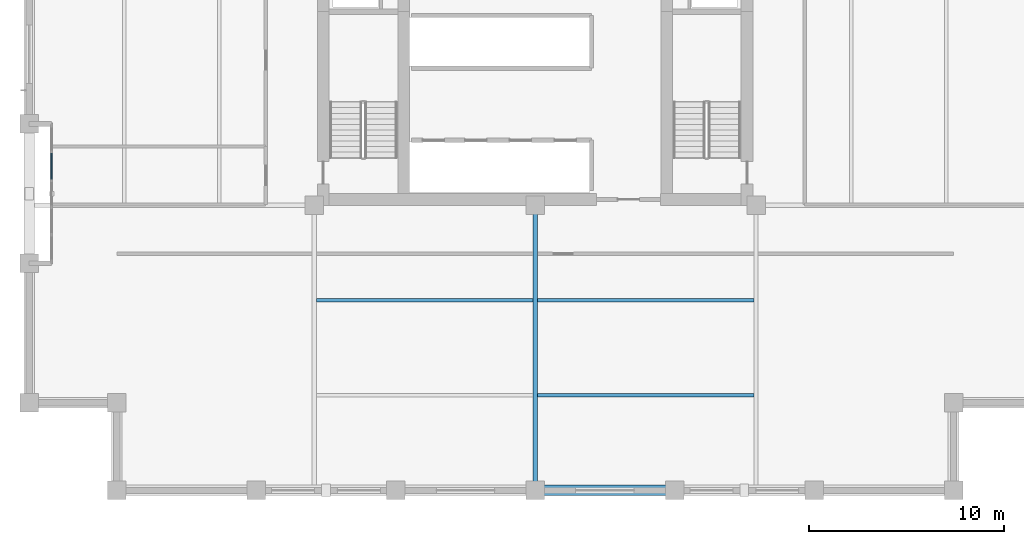
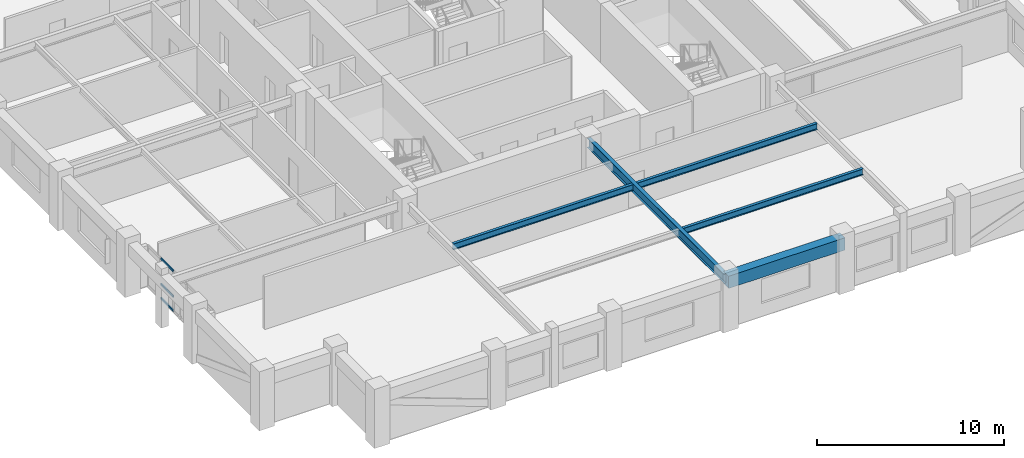
# One storey, part 3 of 14: 5 beams, 3 members, 1 element without a shape of its own.
"""IFC4 building model written with IfcOpenShell, lengths in metres."""

from ifc_helpers import new_model, si_unit, direction, frame, origin, origin_2d, place, context, subcontext, project, spatial, rectangle, i_section, extrude, material, layer, layer_set, material_profile, profile_set, type_object, element, aggregate, save


model = new_model("IFC4")

# Units and contexts
model_context = context("Model", 3, precision=1e-05, world=origin(), true_north=direction((0.0, 1.0)))
body_context = subcontext(model_context, "Body", "Model", "MODEL_VIEW")
ifc_project = project(units=[si_unit("LENGTHUNIT", "METRE"), si_unit("AREAUNIT", "SQUARE_METRE"), si_unit("VOLUMEUNIT", "CUBIC_METRE"), si_unit("PLANEANGLEUNIT", "RADIAN"), si_unit("MASSUNIT", "GRAM", prefix="KILO")], contexts=[model_context])

# Site, building, storey
site_placement = place(None, origin())
site = spatial("IfcSite", under=ifc_project, at=site_placement, CompositionType="ELEMENT")
building_placement = place(site_placement, origin())
building = spatial("IfcBuilding", under=site, at=building_placement, Name="Nhamokura Convention Tower", CompositionType="ELEMENT")
storey_placement = place(building_placement, frame((0.0, 0.0, 172.199951171875)))
storey = spatial("IfcBuildingStorey", under=building, at=storey_placement, Name="L42", CompositionType="ELEMENT", Elevation=172.199951171875)

# Curtain wall, members
ifc_material_1 = material(Name="Anodised bronze aluminium AA6063-T6", Category="aluminium")
ifc_layer = layer(ifc_material_1, 0.159912109375)
ifc_layer_set = layer_set([ifc_layer], Name="CWSystem_ScaleSlot_Zone2")
curtain_wall_type = type_object("IfcCurtainWallType", Name="CWSystem_ScaleSlot_Zone2", PredefinedType="NOTDEFINED", material=ifc_layer_set)
curtain_wall_placement = place(storey_placement, origin())
curtain_wall = element("IfcCurtainWall", 1, at=curtain_wall_placement, inside=storey, type_object=curtain_wall_type, Name="L42 Curtain Wall ENV-L42-SLOT-W1", PredefinedType="NOTDEFINED")
ifc_material_2 = material(Name="Anodised bronze aluminium AA6063-T6", Category="aluminium")
ifc_material_profile_1 = material_profile(ifc_material_2, rectangle(XDim=0.06494140625, YDim=0.139892578125, at=origin_2d()))
ifc_profile_set_1 = profile_set([ifc_material_profile_1], Name="Anodised bronze aluminium AA6063-T6")
member_type = type_object("IfcMemberType", Name="CWTransom_3", PredefinedType="USERDEFINED", material=ifc_profile_set_1)
member_1_placement = place(storey_placement, frame((7.14990234375, 21.987060546875, 0.032470703125), z_axis=(0.0, 1.0, 0.0), x_axis=(-1.0, 0.0, 0.0)))
member_1 = element("IfcMember", 2, at=member_1_placement, type_object=member_type, Name="CW-04 transom 4.1", ObjectType="TRANSOM", PredefinedType="USERDEFINED", context=body_context, shape_type="SweptSolid", body=[
    extrude(rectangle(XDim=0.06494140625, YDim=0.139892578125, at=origin_2d()), origin(), (0.0, 0.0, 1.0), 1.344482421875),
])
member_2_placement = place(storey_placement, frame((7.14990234375, 21.987060546875, 0.949951171875), z_axis=(0.0, 1.0, 0.0), x_axis=(-1.0, 0.0, 0.0)))
member_2 = element("IfcMember", 3, at=member_2_placement, type_object=member_type, Name="CW-04 transom 4.2", ObjectType="TRANSOM", PredefinedType="USERDEFINED", context=body_context, shape_type="SweptSolid", body=[
    extrude(rectangle(XDim=0.06494140625, YDim=0.139892578125, at=origin_2d()), origin(), (0.0, 0.0, 1.0), 1.344482421875),
])
member_3_placement = place(storey_placement, frame((7.14990234375, 21.987060546875, 2.59765625), z_axis=(0.0, 1.0, 0.0), x_axis=(-1.0, 0.0, 0.0)))
member_3 = element("IfcMember", 4, at=member_3_placement, type_object=member_type, Name="CW-04 transom 4.3", ObjectType="TRANSOM", PredefinedType="USERDEFINED", context=body_context, shape_type="SweptSolid", body=[
    extrude(rectangle(XDim=0.06494140625, YDim=0.139892578125, at=origin_2d()), origin(), (0.0, 0.0, 1.0), 1.344482421875),
])
aggregate(curtain_wall, [member_1, member_2, member_3])

# Beams
ifc_material_3 = material(Name="Steel ASTM A992 Gr 50", Category="steel")
ifc_material_profile_2 = material_profile(ifc_material_3, i_section(OverallWidth=0.177001953125, OverallDepth=0.403076171875, WebThickness=0.007568359375, FlangeThickness=0.010986328125, at=origin_2d()))
ifc_profile_set_2 = profile_set([ifc_material_profile_2], Name="Steel ASTM A992 Gr 50")
beam_type_1 = type_object("IfcBeamType", Name="FloorJoist_W410X53", PredefinedType="JOIST", material=ifc_profile_set_2)
for number, where, z_axis, x_axis, name in (
    (5, (32.112060546875, 10.88330078125, 3.228515625), (1.0, 0.0, 0.0), (0.0, 1.0, 0.0), "L42 Composite Floor Joist S1B"),
    (6, (20.761962890625, 15.7666015625, 3.228515625), (1.0, 0.0, 0.0), (0.0, 1.0, 0.0), "L42 Composite Floor Joist S2A"),
    (7, (32.112060546875, 15.7666015625, 3.228515625), (1.0, 0.0, 0.0), (0.0, 1.0, 0.0), "L42 Composite Floor Joist S2B"),
):
    element("IfcBeam", number, at=place(storey_placement, frame(where, z_axis=z_axis, x_axis=x_axis)), inside=storey, type_object=beam_type_1, Name=name, PredefinedType="JOIST", context=body_context, shape_type="SweptSolid", body=[
        extrude(i_section(OverallWidth=0.177001953125, OverallDepth=0.403076171875, WebThickness=0.007568359375, FlangeThickness=0.010986328125, at=origin_2d()), origin(), (0.0, 0.0, 1.0), 11.1259765625),
    ])
ifc_material_4 = material(Name="Steel ASTM A992 Gr 50", Category="steel")
ifc_material_profile_3 = material_profile(ifc_material_4, i_section(OverallWidth=0.22802734375, OverallDepth=0.60791015625, WebThickness=0.01123046875, FlangeThickness=0.017333984375, at=origin_2d()))
ifc_profile_set_3 = profile_set([ifc_material_profile_3], Name="Steel ASTM A992 Gr 50")
beam_type_2 = type_object("IfcBeamType", Name="PrimaryGirder_W610X113", PredefinedType="BEAM", material=ifc_profile_set_3)
beam_1_placement = place(storey_placement, frame((32.0, 6.0, 3.1259765625), z_axis=(0.0, 1.0, 0.0), x_axis=(-1.0, 0.0, 0.0)))
element("IfcBeam", 8, at=beam_1_placement, inside=storey, type_object=beam_type_2, Name="L42 Primary Floor Girder PG-S2", PredefinedType="BEAM", context=body_context, shape_type="SweptSolid", body=[
    extrude(i_section(OverallWidth=0.22802734375, OverallDepth=0.60791015625, WebThickness=0.01123046875, FlangeThickness=0.017333984375, at=origin_2d()), origin(), (0.0, 0.0, 1.0), 14.64990234375),
])
ifc_material_5 = material(Name="Concrete C50/60", Category="concrete")
ifc_material_profile_4 = material_profile(ifc_material_5, rectangle(XDim=0.550048828125, YDim=0.800048828125, at=origin_2d()))
ifc_profile_set_4 = profile_set([ifc_material_profile_4], Name="Concrete C50/60")
beam_type_3 = type_object("IfcBeamType", Name="TubeSpandrel_800", PredefinedType="SPANDREL", material=ifc_profile_set_4)
beam_2_placement = place(storey_placement, frame((32.0, 6.0, 3.030029296875), z_axis=(1.0, 0.0, 0.0), x_axis=(0.0, 1.0, 0.0)))
element("IfcBeam", 9, at=beam_2_placement, inside=storey, type_object=beam_type_3, Name="L42 Perimeter Spandrel SOUTH 4", PredefinedType="SPANDREL", context=body_context, shape_type="SweptSolid", body=[
    extrude(rectangle(XDim=0.550048828125, YDim=0.800048828125, at=origin_2d()), origin(), (0.0, 0.0, 1.0), 7.166748046875),
])

save(model, "model.ifc")
